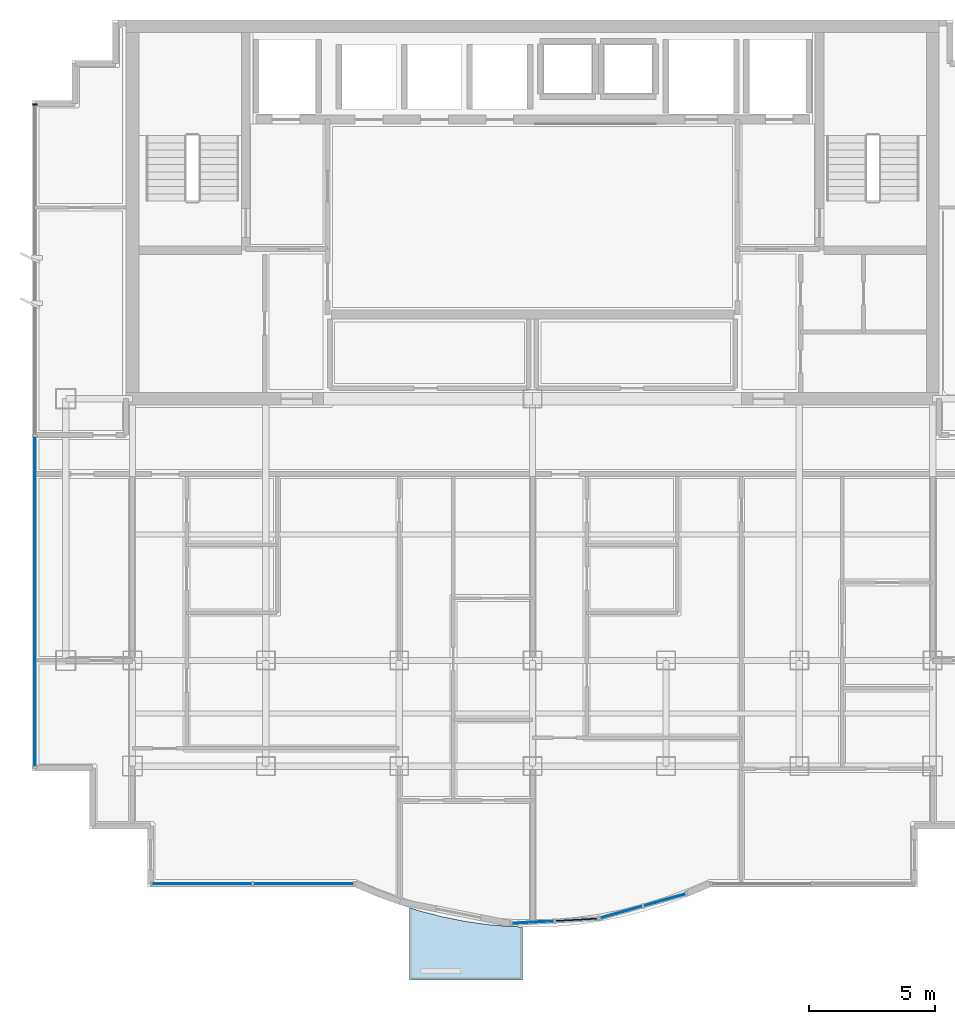
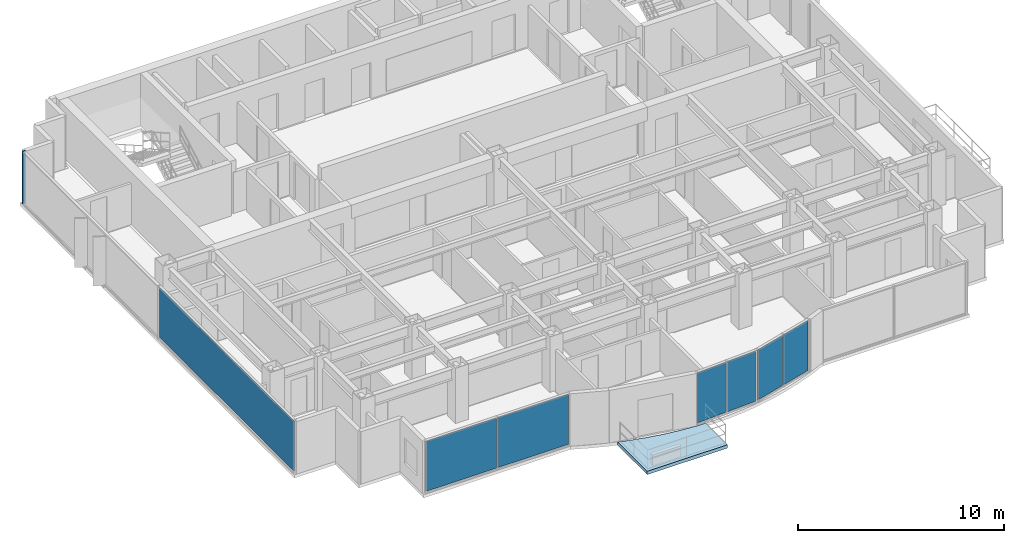
# One storey, part 5 of 11: 7 plates, 1 member, 1 slab, 4 elements without a shape of their own.
"""IFC4 building model written with IfcOpenShell, lengths in metres."""

from ifc_helpers import new_model, si_unit, direction, frame, origin, origin_2d, place, context, subcontext, project, spatial, polyline, rectangle, outline, extrude, source, transform, mapped, material, layer, layer_set, material_profile, profile_set, type_object, element, aggregate, save


model = new_model("IFC4")

# Units and contexts
model_context = context("Model", 3, precision=1e-05, world=origin(), true_north=direction((0.0, 1.0)))
body_context = subcontext(model_context, "Body", "Model", "MODEL_VIEW")
ifc_project = project(units=[si_unit("LENGTHUNIT", "METRE"), si_unit("AREAUNIT", "SQUARE_METRE"), si_unit("VOLUMEUNIT", "CUBIC_METRE"), si_unit("PLANEANGLEUNIT", "RADIAN"), si_unit("MASSUNIT", "GRAM", prefix="KILO")], contexts=[model_context])

# Site, building, storey
site_placement = place(None, origin())
site = spatial("IfcSite", under=ifc_project, at=site_placement, CompositionType="ELEMENT")
building_placement = place(site_placement, origin())
building = spatial("IfcBuilding", under=site, at=building_placement, Name="Qianlan Lanfeng Residences", CompositionType="ELEMENT")
storey_placement = place(building_placement, frame((0.0, 0.0, 223.10009765625)))
storey = spatial("IfcBuildingStorey", under=building, at=storey_placement, Name="L61", CompositionType="ELEMENT", Elevation=223.10009765625)

# Curtain wall, member
ifc_material_1 = material(Name="Anodised Bronze Aluminium 6063-T6", Category="aluminium")
ifc_layer_1 = layer(ifc_material_1, 0.219970703125)
ifc_layer_set_1 = layer_set([ifc_layer_1], Name="Anodised Bronze Aluminium 6063-T6")
curtain_wall_type = type_object("IfcCurtainWallType", Name="CW-05", PredefinedType="NOTDEFINED", material=ifc_layer_set_1)
curtain_wall_1_placement = place(storey_placement, origin())
curtain_wall_1 = element("IfcCurtainWall", 1, at=curtain_wall_1_placement, inside=storey, type_object=curtain_wall_type, Name="L61 Unitised Curtain Wall CWR-L61-05 (CW-05)", PredefinedType="NOTDEFINED")
ifc_material_profile = material_profile(ifc_material_1, rectangle(XDim=0.074951171875, YDim=0.179931640625, at=origin_2d()), Name="ALU MULLION 75x180")
ifc_profile_set = profile_set([ifc_material_profile], Name="Anodised Bronze Aluminium 6063-T6")
member_type = type_object("IfcMemberType", Name="CWM-180", PredefinedType="MULLION", material=ifc_profile_set)
shared_shape_1 = source(origin(), body_context, "Body", "SweptSolid", [
    extrude(rectangle(XDim=0.074951171875, YDim=0.179931640625, at=origin_2d()), origin(), (0.0, 0.0, 1.0), 3.10986328125),
])
member_placement = place(storey_placement, frame((6.719970703125, 36.892578125, 0.0), z_axis=(0.0, 0.0, 1.0), x_axis=(0.0, -1.0, 0.0)))
member = element("IfcMember", 2, at=member_placement, type_object=member_type, Name="CWR-L61-05 Mullion 1", PredefinedType="MULLION", context=body_context, shape_type="MappedRepresentation", body=[
    mapped(shared_shape_1, transform((0.0, 0.0, 0.0), scale=1.0)),
])

# Slab
ifc_material_2 = material(Name="Concrete C42", Category="concrete")
ifc_layer_2 = layer(ifc_material_2, 0.199951171875)
ifc_layer_set_2 = layer_set([ifc_layer_2], Name="Concrete C42")
slab_type = type_object("IfcSlabType", Name="S-BAL-200", PredefinedType="FLOOR", material=ifc_layer_set_2)
slab_placement = place(storey_placement, frame((0.0, 0.0, -0.2001953125)))
element("IfcSlab", 3, at=slab_placement, inside=storey, type_object=slab_type, Name="L61 Planted Tree Balcony Slab SB-C", PredefinedType="FLOOR", context=body_context, shape_type="SweptSolid", body=[
    extrude(outline(polyline([(26.10009765625, 4.2109375), (25.614990234375, 4.22509765625), (24.72998046875, 4.300048828125), (23.844970703125, 4.425048828125), (22.9599609375, 4.60009765625), (22.074951171875, 4.824951171875), (21.60009765625, 4.972900390625), (21.60009765625, 2.10009765625), (26.10009765625, 2.10009765625), (26.10009765625, 4.2109375)])), origin(), (0.0, 0.0, 1.0), 0.2001953125),
])

# Curtain wall, plates
curtain_wall_2_placement = place(storey_placement, origin())
curtain_wall_2 = element("IfcCurtainWall", 4, at=curtain_wall_2_placement, inside=storey, type_object=curtain_wall_type, Name="L61 Unitised Curtain Wall CWR-L61-01 (CW-05)", PredefinedType="NOTDEFINED")
ifc_material_3 = material(Name="Dark Bronze Tinted Insulated Glass", Category="glass")
ifc_layer_3 = layer(ifc_material_3, 0.0380859375)
ifc_layer_set_3 = layer_set([ifc_layer_3], Name="Dark Bronze Tinted Insulated Glass")
plate_type_1 = type_object("IfcPlateType", Name="PNL-GLZ-BRZ", PredefinedType="CURTAIN_PANEL", material=ifc_layer_set_3)
shared_shape_2 = source(origin(), body_context, "Body", "SweptSolid", [
    extrude(rectangle(XDim=3.951416015625, YDim=0.0380859375, at=origin_2d()), origin(), (0.0, 0.0, 1.0), 2.9619140625),
])
plate_1_placement = place(storey_placement, frame((13.36962890625, 5.919921875, 0.073974609375), z_axis=(0.0, 0.0, 1.0), x_axis=(1.0, 0.0, 0.0)))
plate_1 = element("IfcPlate", 5, at=plate_1_placement, type_object=plate_type_1, Name="CWR-L61-01 Curtain Panel 1", PredefinedType="CURTAIN_PANEL", context=body_context, shape_type="MappedRepresentation", body=[
    mapped(shared_shape_2, transform((0.0, 0.0, 0.0), scale=1.0)),
])
plate_2_placement = place(storey_placement, frame((17.394287109375, 5.919921875, 0.073974609375), z_axis=(0.0, 0.0, 1.0), x_axis=(1.0, 0.0, 0.0)))
plate_2 = element("IfcPlate", 6, at=plate_2_placement, type_object=plate_type_1, Name="CWR-L61-01 Curtain Panel 2", PredefinedType="CURTAIN_PANEL", context=body_context, shape_type="MappedRepresentation", body=[
    mapped(shared_shape_2, transform((0.0, 0.0, 0.0), scale=1.0)),
])
aggregate(curtain_wall_2, [plate_1, plate_2])

# Plate
shared_shape_3 = source(origin(), body_context, "Body", "SweptSolid", [
    extrude(rectangle(XDim=13.094482421875, YDim=0.0380859375, at=origin_2d()), origin(), (0.0, 0.0, 1.0), 2.9619140625),
])
plate_3_placement = place(storey_placement, frame((6.719970703125, 17.14111328125, 0.073974609375), z_axis=(0.0, 0.0, 1.0), x_axis=(0.0, -1.0, 0.0)))
plate_3 = element("IfcPlate", 7, at=plate_3_placement, type_object=plate_type_1, Name="CWR-L61-05 Curtain Panel 2", PredefinedType="CURTAIN_PANEL", context=body_context, shape_type="MappedRepresentation", body=[
    mapped(shared_shape_3, transform((0.0, 0.0, 0.0), scale=1.0)),
])

aggregate(curtain_wall_1, [member, plate_3])

# Curtain wall, plates
curtain_wall_3_placement = place(storey_placement, origin())
curtain_wall_3 = element("IfcCurtainWall", 8, at=curtain_wall_3_placement, inside=storey, type_object=curtain_wall_type, Name="L61 Unitised Curtain Wall CWR-L61-02 (CW-05)", PredefinedType="NOTDEFINED")
shared_shape_4 = source(origin(), body_context, "Body", "SweptSolid", [
    extrude(rectangle(XDim=1.648681640625, YDim=0.0380859375, at=origin_2d()), origin(), (0.0, 0.0, 1.0), 2.9619140625),
])
plate_4_placement = place(storey_placement, frame((26.51904296875, 4.3955078125, 0.073974609375), z_axis=(0.0, 0.0, 1.0), x_axis=(0.998415428603, 0.056272834713, 0.0)))
plate_4 = element("IfcPlate", 9, at=plate_4_placement, type_object=plate_type_1, Name="CWR-L61-02 Curtain Panel 1", PredefinedType="CURTAIN_PANEL", context=body_context, shape_type="MappedRepresentation", body=[
    mapped(shared_shape_4, transform((0.0, 0.0, 0.0), scale=1.0)),
])
ifc_material_4 = material(Name="Perforated Anodised Bronze Aluminium Panel", Category="aluminium")
ifc_layer_4 = layer(ifc_material_4, 0.0419921875)
ifc_layer_set_4 = layer_set([ifc_layer_4], Name="Perforated Anodised Bronze Aluminium Panel")
plate_type_2 = type_object("IfcPlateType", Name="PNL-PRF-BRZ", PredefinedType="CURTAIN_PANEL", material=ifc_layer_set_4)
shared_shape_5 = source(origin(), body_context, "Body", "SweptSolid", [
    extrude(rectangle(XDim=1.648681640625, YDim=0.0419921875, at=origin_2d()), origin(), (0.0, 0.0, 1.0), 2.9619140625),
])
plate_5_placement = place(storey_placement, frame((28.238037109375, 4.492431640625, 0.073974609375), z_axis=(0.0, 0.0, 1.0), x_axis=(0.998415428603, 0.056272834713, 0.0)))
plate_5 = element("IfcPlate", 10, at=plate_5_placement, type_object=plate_type_2, Name="CWR-L61-02 Curtain Panel 2", PredefinedType="CURTAIN_PANEL", context=body_context, shape_type="MappedRepresentation", body=[
    mapped(shared_shape_5, transform((0.0, 0.0, 0.0), scale=1.0)),
])
aggregate(curtain_wall_3, [plate_4, plate_5])

curtain_wall_4_placement = place(storey_placement, origin())
curtain_wall_4 = element("IfcCurtainWall", 11, at=curtain_wall_4_placement, inside=storey, type_object=curtain_wall_type, Name="L61 Unitised Curtain Wall CWR-L61-03 (CW-05)", PredefinedType="NOTDEFINED")
shared_shape_6 = source(origin(), body_context, "Body", "SweptSolid", [
    extrude(rectangle(XDim=1.71630859375, YDim=0.0380859375, at=origin_2d()), origin(), (0.0, 0.0, 1.0), 2.9619140625),
])
plate_6_placement = place(storey_placement, frame((30.031982421875, 4.796630859375, 0.073974609375), z_axis=(0.0, 0.0, 1.0), x_axis=(0.962284495419, 0.272045124705, 0.0)))
plate_6 = element("IfcPlate", 12, at=plate_6_placement, type_object=plate_type_1, Name="CWR-L61-03 Curtain Panel 1", PredefinedType="CURTAIN_PANEL", context=body_context, shape_type="MappedRepresentation", body=[
    mapped(shared_shape_6, transform((0.0, 0.0, 0.0), scale=1.0)),
])
plate_7_placement = place(storey_placement, frame((31.75390625, 5.283447265625, 0.073974609375), z_axis=(0.0, 0.0, 1.0), x_axis=(0.962284495419, 0.272045124705, 0.0)))
plate_7 = element("IfcPlate", 13, at=plate_7_placement, type_object=plate_type_1, Name="CWR-L61-03 Curtain Panel 2", PredefinedType="CURTAIN_PANEL", context=body_context, shape_type="MappedRepresentation", body=[
    mapped(shared_shape_6, transform((0.0, 0.0, 0.0), scale=1.0)),
])
aggregate(curtain_wall_4, [plate_6, plate_7])

save(model, "model.ifc")
